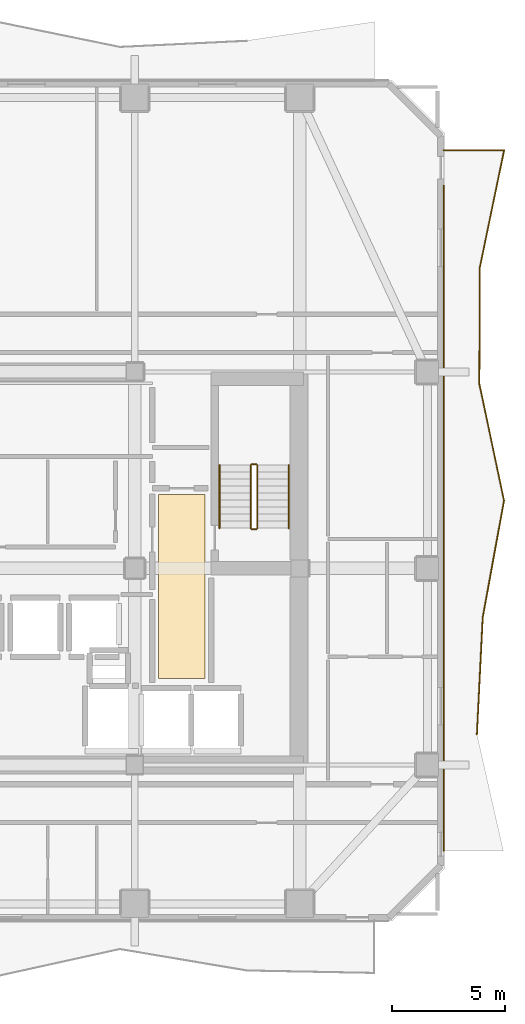
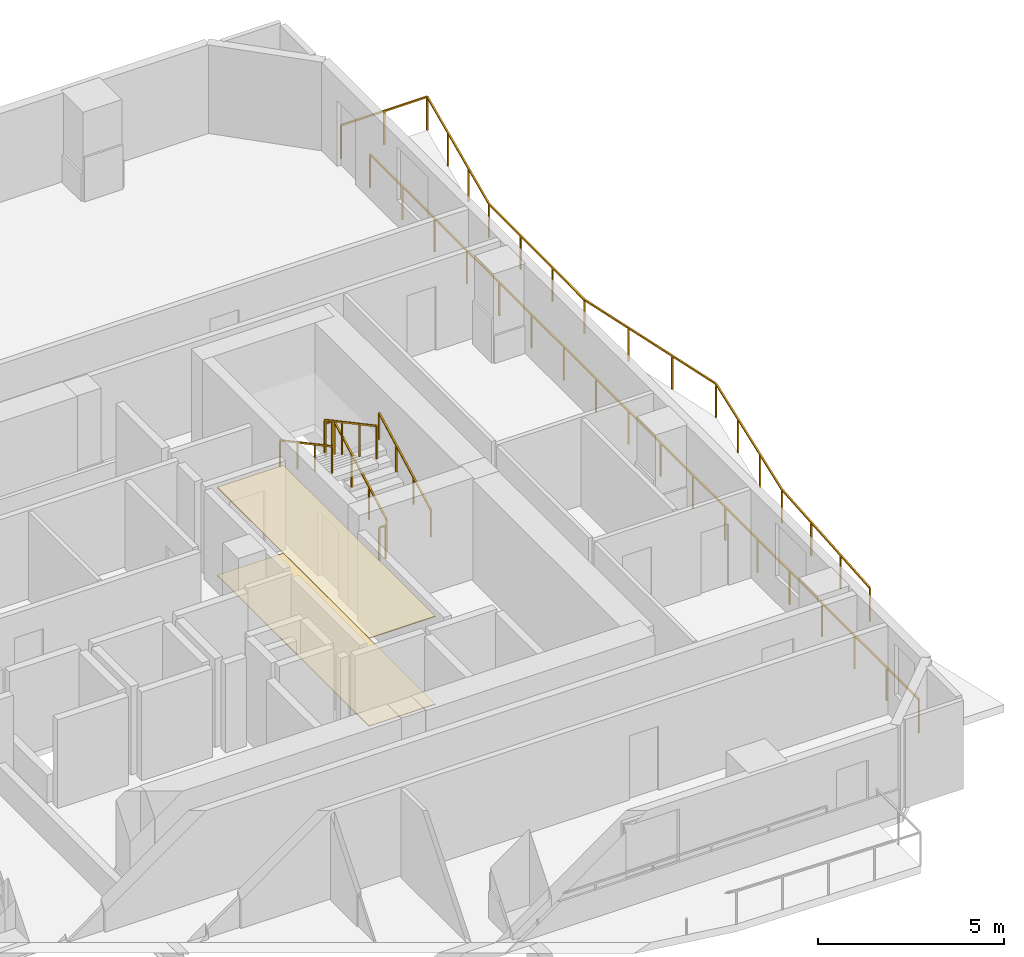
# One storey, part 9 of 10: 8 railings, 2 coverings.
"""IFC4 building model written with IfcOpenShell, lengths in metres."""

from ifc_helpers import new_model, si_unit, direction, frame, origin, origin_2d, place, context, subcontext, project, spatial, polyline, rectangle, outline, extrude, material, layer, layer_set, type_object, element, save


model = new_model("IFC4")

# Units and contexts
model_context = context("Model", 3, precision=1e-05, world=origin(), true_north=direction((0.0, 1.0)))
body_context = subcontext(model_context, "Body", "Model", "MODEL_VIEW")
ifc_project = project(units=[si_unit("LENGTHUNIT", "METRE"), si_unit("AREAUNIT", "SQUARE_METRE"), si_unit("VOLUMEUNIT", "CUBIC_METRE"), si_unit("PLANEANGLEUNIT", "RADIAN"), si_unit("MASSUNIT", "GRAM", prefix="KILO")], contexts=[model_context])

# Site, building, storey
site_placement = place(None, origin())
site = spatial("IfcSite", under=ifc_project, at=site_placement, CompositionType="ELEMENT")
building_placement = place(site_placement, origin())
building = spatial("IfcBuilding", under=site, at=building_placement, Name="Solanera Arch Residences", CompositionType="ELEMENT")
storey_placement = place(building_placement, frame((0.0, 0.0, 186.840087890625)))
storey = spatial("IfcBuildingStorey", under=building, at=storey_placement, Name="L54", CompositionType="ELEMENT", Elevation=186.840087890625)

# Railings
ifc_material_1 = material(Name="Steel S355 (ASTM A992 / A572 Grade 50)", Category="steel")
railing_type_1 = type_object("IfcRailingType", Name="Balustrade Railing BL-1100", PredefinedType="BALUSTRADE", material=ifc_material_1)
railing_1_placement = place(storey_placement, frame((44.344970703125, 23.366943359375, 0.0)))
element("IfcRailing", 1, at=railing_1_placement, inside=storey, type_object=railing_type_1, Name="L54 E Balcony Balustrade 1", PredefinedType="BALUSTRADE", context=body_context, shape_type="SweptSolid", body=[
    extrude(rectangle(XDim=0.048095703125, YDim=0.048095703125, at=origin_2d()), frame((0.0, 0.0, 1.09619140625), z_axis=(0.049890534467, 0.998754691889, 0.0), x_axis=(-0.998754691889, 0.049890534467, 0.0)), (0.0, 0.0, 1.0), 5.17236328125),
    extrude(rectangle(XDim=0.048095703125, YDim=0.048095703125, at=origin_2d()), frame((0.258056640625, 5.166015625, 1.09619140625), z_axis=(0.179335384895, 0.983787995314, 0.0), x_axis=(-0.983787995314, 0.179335384895, 0.0)), (0.0, 0.0, 1.0), 5.252197265625),
    extrude(rectangle(XDim=0.048095703125, YDim=0.048095703125, at=origin_2d()), frame((1.199951171875, 10.3330078125, 1.09619140625), z_axis=(-0.206781592574, 0.978387128376, 0.0), x_axis=(-0.978387128376, -0.206781592574, 0.0)), (0.0, 0.0, 1.0), 5.28125),
    extrude(rectangle(XDim=0.048095703125, YDim=0.048095703125, at=origin_2d()), frame((0.10791015625, 15.5, 1.09619140625), z_axis=(0.004678587735, 0.999989055349, 0.0), x_axis=(-0.999989055349, 0.004678587735, 0.0)), (0.0, 0.0, 1.0), 5.166015625),
    extrude(rectangle(XDim=0.048095703125, YDim=0.048095703125, at=origin_2d()), frame((0.132080078125, 20.666015625, 1.09619140625), z_axis=(0.202971237886, 0.979184699937, 0.0), x_axis=(-0.979184699937, 0.202971237886, 0.0)), (0.0, 0.0, 1.0), 5.27685546875),
    extrude(rectangle(XDim=0.048095703125, YDim=0.048095703125, at=origin_2d()), frame((1.203125, 25.8330078125, 1.09619140625), z_axis=(-1.0, 0.0, 0.0), x_axis=(0.0, -1.0, 0.0)), (0.0, 0.0, 1.0), 2.668212890625),
    extrude(rectangle(XDim=0.0419921875, YDim=0.0419921875, at=origin_2d()), origin(), (0.0, 0.0, 1.0), 1.072021484375),
    extrude(rectangle(XDim=0.0419921875, YDim=0.0419921875, at=origin_2d()), frame((0.0859375, 1.721923828125, 0.0)), (0.0, 0.0, 1.0), 1.072021484375),
    extrude(rectangle(XDim=0.0419921875, YDim=0.0419921875, at=origin_2d()), frame((0.172119140625, 3.444091796875, 0.0)), (0.0, 0.0, 1.0), 1.072021484375),
    extrude(rectangle(XDim=0.0419921875, YDim=0.0419921875, at=origin_2d()), frame((0.258056640625, 5.166015625, 0.0)), (0.0, 0.0, 1.0), 1.072021484375),
    extrude(rectangle(XDim=0.0419921875, YDim=0.0419921875, at=origin_2d()), frame((0.572021484375, 6.888427734375, 0.0)), (0.0, 0.0, 1.0), 1.072021484375),
    extrude(rectangle(XDim=0.0419921875, YDim=0.0419921875, at=origin_2d()), frame((0.885986328125, 8.610595703125, 0.0)), (0.0, 0.0, 1.0), 1.072021484375),
    extrude(rectangle(XDim=0.0419921875, YDim=0.0419921875, at=origin_2d()), frame((1.199951171875, 10.3330078125, 0.0)), (0.0, 0.0, 1.0), 1.072021484375),
    extrude(rectangle(XDim=0.0419921875, YDim=0.0419921875, at=origin_2d()), frame((0.8359375, 12.055419921875, 0.0)), (0.0, 0.0, 1.0), 1.072021484375),
    extrude(rectangle(XDim=0.0419921875, YDim=0.0419921875, at=origin_2d()), frame((0.471923828125, 13.777587890625, 0.0)), (0.0, 0.0, 1.0), 1.072021484375),
    extrude(rectangle(XDim=0.0419921875, YDim=0.0419921875, at=origin_2d()), frame((0.10791015625, 15.5, 0.0)), (0.0, 0.0, 1.0), 1.072021484375),
    extrude(rectangle(XDim=0.0419921875, YDim=0.0419921875, at=origin_2d()), frame((0.115966796875, 17.221923828125, 0.0)), (0.0, 0.0, 1.0), 1.072021484375),
    extrude(rectangle(XDim=0.0419921875, YDim=0.0419921875, at=origin_2d()), frame((0.1240234375, 18.944091796875, 0.0)), (0.0, 0.0, 1.0), 1.072021484375),
    extrude(rectangle(XDim=0.0419921875, YDim=0.0419921875, at=origin_2d()), frame((0.132080078125, 20.666015625, 0.0)), (0.0, 0.0, 1.0), 1.072021484375),
    extrude(rectangle(XDim=0.0419921875, YDim=0.0419921875, at=origin_2d()), frame((0.489013671875, 22.388427734375, 0.0)), (0.0, 0.0, 1.0), 1.072021484375),
    extrude(rectangle(XDim=0.0419921875, YDim=0.0419921875, at=origin_2d()), frame((0.84619140625, 24.110595703125, 0.0)), (0.0, 0.0, 1.0), 1.072021484375),
    extrude(rectangle(XDim=0.0419921875, YDim=0.0419921875, at=origin_2d()), frame((1.203125, 25.8330078125, 0.0)), (0.0, 0.0, 1.0), 1.072021484375),
    extrude(rectangle(XDim=0.0419921875, YDim=0.0419921875, at=origin_2d()), frame((-0.130859375, 25.8330078125, 0.0)), (0.0, 0.0, 1.0), 1.072021484375),
    extrude(rectangle(XDim=0.0419921875, YDim=0.0419921875, at=origin_2d()), frame((-1.465087890625, 25.8330078125, 0.0)), (0.0, 0.0, 1.0), 1.072021484375),
])
railing_2_placement = place(storey_placement, frame((42.8798828125, 47.64111328125, 0.0)))
element("IfcRailing", 2, at=railing_2_placement, inside=storey, type_object=railing_type_1, Name="L54 E Balcony Balustrade 2", PredefinedType="BALUSTRADE", context=body_context, shape_type="SweptSolid", body=[
    extrude(rectangle(XDim=0.048095703125, YDim=0.048095703125, at=origin_2d()), frame((0.0, 0.0, 1.09619140625), z_axis=(0.0, -1.0, 0.0), x_axis=(1.0, 0.0, 0.0)), (0.0, 0.0, 1.0), 29.441162109375),
    extrude(rectangle(XDim=0.0419921875, YDim=0.0419921875, at=origin_2d()), origin(), (0.0, 0.0, 1.0), 1.072021484375),
    extrude(rectangle(XDim=0.0419921875, YDim=0.0419921875, at=origin_2d()), frame((0.0, -1.73193359375, 0.0)), (0.0, 0.0, 1.0), 1.072021484375),
    extrude(rectangle(XDim=0.0419921875, YDim=0.0419921875, at=origin_2d()), frame((0.0, -3.463623046875, 0.0)), (0.0, 0.0, 1.0), 1.072021484375),
    extrude(rectangle(XDim=0.0419921875, YDim=0.0419921875, at=origin_2d()), frame((0.0, -5.195556640625, 0.0)), (0.0, 0.0, 1.0), 1.072021484375),
    extrude(rectangle(XDim=0.0419921875, YDim=0.0419921875, at=origin_2d()), frame((0.0, -6.92724609375, 0.0)), (0.0, 0.0, 1.0), 1.072021484375),
    extrude(rectangle(XDim=0.0419921875, YDim=0.0419921875, at=origin_2d()), frame((0.0, -8.6591796875, 0.0)), (0.0, 0.0, 1.0), 1.072021484375),
    extrude(rectangle(XDim=0.0419921875, YDim=0.0419921875, at=origin_2d()), frame((0.0, -10.39111328125, 0.0)), (0.0, 0.0, 1.0), 1.072021484375),
    extrude(rectangle(XDim=0.0419921875, YDim=0.0419921875, at=origin_2d()), frame((0.0, -12.122802734375, 0.0)), (0.0, 0.0, 1.0), 1.072021484375),
    extrude(rectangle(XDim=0.0419921875, YDim=0.0419921875, at=origin_2d()), frame((0.0, -13.854736328125, 0.0)), (0.0, 0.0, 1.0), 1.072021484375),
    extrude(rectangle(XDim=0.0419921875, YDim=0.0419921875, at=origin_2d()), frame((0.0, -15.58642578125, 0.0)), (0.0, 0.0, 1.0), 1.072021484375),
    extrude(rectangle(XDim=0.0419921875, YDim=0.0419921875, at=origin_2d()), frame((0.0, -17.318359375, 0.0)), (0.0, 0.0, 1.0), 1.072021484375),
    extrude(rectangle(XDim=0.0419921875, YDim=0.0419921875, at=origin_2d()), frame((0.0, -19.050048828125, 0.0)), (0.0, 0.0, 1.0), 1.072021484375),
    extrude(rectangle(XDim=0.0419921875, YDim=0.0419921875, at=origin_2d()), frame((0.0, -20.781982421875, 0.0)), (0.0, 0.0, 1.0), 1.072021484375),
    extrude(rectangle(XDim=0.0419921875, YDim=0.0419921875, at=origin_2d()), frame((0.0, -22.513916015625, 0.0)), (0.0, 0.0, 1.0), 1.072021484375),
    extrude(rectangle(XDim=0.0419921875, YDim=0.0419921875, at=origin_2d()), frame((0.0, -24.24560546875, 0.0)), (0.0, 0.0, 1.0), 1.072021484375),
    extrude(rectangle(XDim=0.0419921875, YDim=0.0419921875, at=origin_2d()), frame((0.0, -25.9775390625, 0.0)), (0.0, 0.0, 1.0), 1.072021484375),
    extrude(rectangle(XDim=0.0419921875, YDim=0.0419921875, at=origin_2d()), frame((0.0, -27.709228515625, 0.0)), (0.0, 0.0, 1.0), 1.072021484375),
    extrude(rectangle(XDim=0.0419921875, YDim=0.0419921875, at=origin_2d()), frame((0.0, -29.441162109375, 0.0)), (0.0, 0.0, 1.0), 1.072021484375),
])

# Covering
ifc_material_2 = material(Name="Porcelain Acoustic Floor Tile", Category="ceramic")
ifc_layer_1 = layer(ifc_material_2, 0.02001953125)
ifc_layer_set_1 = layer_set([ifc_layer_1], Name="Porcelain Acoustic Floor Tile")
covering_type_1 = type_object("IfcCoveringType", Name="Porcelain Acoustic Floor Finish FLR-20", PredefinedType="FLOORING", material=ifc_layer_set_1)
covering_1_placement = place(storey_placement, origin())
element("IfcCovering", 3, at=covering_1_placement, inside=storey, type_object=covering_type_1, Name="L54-FFL-E Porcelain Floor Finish", PredefinedType="FLOORING", context=body_context, shape_type="SweptSolid", body=[
    extrude(outline(polyline([(32.304931640625, 25.824951171875), (30.25, 25.824951171875), (30.25, 33.97509765625), (32.304931640625, 33.97509765625), (32.304931640625, 25.824951171875)])), origin(), (0.0, 0.0, 1.0), 0.02001953125),
])

# Railings
ifc_material_3 = material(Name="Steel S355 (ASTM A992 / A572 Grade 50)", Category="steel")
railing_type_2 = type_object("IfcRailingType", Name="Stair Guardrail GR-1100", PredefinedType="GUARDRAIL", material=ifc_material_3)
railing_3_placement = place(storey_placement, frame((34.6298828125, 32.47998046875, 0.15087890625)))
element("IfcRailing", 4, at=railing_3_placement, inside=storey, type_object=railing_type_2, Name="L54 ST-T2 stair guard 1", PredefinedType="GUARDRAIL", context=body_context, shape_type="SweptSolid", body=[
    extrude(rectangle(XDim=0.048095703125, YDim=0.048095703125, at=origin_2d()), frame((0.0, 0.0, 1.076171875), z_axis=(0.0, 0.881548766853, 0.472092969298), x_axis=(-1.0, 0.0, 0.0)), (0.0, 0.0, 1.0), 3.1650390625),
    extrude(rectangle(XDim=0.0419921875, YDim=0.0419921875, at=origin_2d()), origin(), (0.0, 0.0, 1.0), 1.052001953125),
    extrude(rectangle(XDim=0.0419921875, YDim=0.0419921875, at=origin_2d()), frame((0.0, 0.929931640625, 0.498046875)), (0.0, 0.0, 1.0), 1.052001953125),
    extrude(rectangle(XDim=0.0419921875, YDim=0.0419921875, at=origin_2d()), frame((0.0, 1.860107421875, 0.99609375)), (0.0, 0.0, 1.0), 1.052001953125),
    extrude(rectangle(XDim=0.0419921875, YDim=0.0419921875, at=origin_2d()), frame((0.0, 2.7900390625, 1.494140625)), (0.0, 0.0, 1.0), 1.052001953125),
])
railing_4_placement = place(storey_placement, frame((34.580078125, 35.320068359375, 1.64501953125)))
element("IfcRailing", 5, at=railing_4_placement, inside=storey, type_object=railing_type_2, Name="L54 ST-T2 stair guard 2", PredefinedType="GUARDRAIL", context=body_context, shape_type="SweptSolid", body=[
    extrude(rectangle(XDim=0.048095703125, YDim=0.048095703125, at=origin_2d()), frame((0.0, 0.0, 1.076171875), z_axis=(-1.0, 0.0, 0.0), x_axis=(0.0, -1.0, 0.0)), (0.0, 0.0, 1.0), 0.2001953125),
    extrude(rectangle(XDim=0.0419921875, YDim=0.0419921875, at=origin_2d()), origin(), (0.0, 0.0, 1.0), 1.052001953125),
    extrude(rectangle(XDim=0.0419921875, YDim=0.0419921875, at=origin_2d()), frame((-0.2001953125, 0.0, 0.0)), (0.0, 0.0, 1.0), 1.052001953125),
])
railing_5_placement = place(storey_placement, frame((34.330078125, 35.27001953125, 1.810791015625)))
element("IfcRailing", 6, at=railing_5_placement, inside=storey, type_object=railing_type_2, Name="L54 ST-T2 stair guard 3", PredefinedType="GUARDRAIL", context=body_context, shape_type="SweptSolid", body=[
    extrude(rectangle(XDim=0.048095703125, YDim=0.048095703125, at=origin_2d()), frame((0.0, 0.0, 1.076171875), z_axis=(0.0, -0.881548766853, 0.472092969298), x_axis=(1.0, 0.0, 0.0)), (0.0, 0.0, 1.0), 3.1650390625),
    extrude(rectangle(XDim=0.0419921875, YDim=0.0419921875, at=origin_2d()), origin(), (0.0, 0.0, 1.0), 1.052001953125),
    extrude(rectangle(XDim=0.0419921875, YDim=0.0419921875, at=origin_2d()), frame((0.0, -0.929931640625, 0.498046875)), (0.0, 0.0, 1.0), 1.052001953125),
    extrude(rectangle(XDim=0.0419921875, YDim=0.0419921875, at=origin_2d()), frame((0.0, -1.860107421875, 0.99609375)), (0.0, 0.0, 1.0), 1.052001953125),
    extrude(rectangle(XDim=0.0419921875, YDim=0.0419921875, at=origin_2d()), frame((0.0, -2.7900390625, 1.494140625)), (0.0, 0.0, 1.0), 1.052001953125),
])
railing_6_placement = place(storey_placement, frame((34.580078125, 32.429931640625, -0.01513671875)))
element("IfcRailing", 7, at=railing_6_placement, inside=storey, type_object=railing_type_2, Name="L54 ST-T2 stair guard 4", PredefinedType="GUARDRAIL", context=body_context, shape_type="SweptSolid", body=[
    extrude(rectangle(XDim=0.048095703125, YDim=0.048095703125, at=origin_2d()), frame((0.0, 0.0, 1.076171875), z_axis=(-1.0, 0.0, 0.0), x_axis=(0.0, -1.0, 0.0)), (0.0, 0.0, 1.0), 0.2001953125),
    extrude(rectangle(XDim=0.0419921875, YDim=0.0419921875, at=origin_2d()), origin(), (0.0, 0.0, 1.0), 1.052001953125),
    extrude(rectangle(XDim=0.0419921875, YDim=0.0419921875, at=origin_2d()), frame((-0.2001953125, 0.0, 0.0)), (0.0, 0.0, 1.0), 1.052001953125),
])
ifc_material_4 = material(Name="Steel S355 (ASTM A992 / A572 Grade 50)", Category="steel")
railing_type_3 = type_object("IfcRailingType", Name="Stair Wall Handrail HR-920", PredefinedType="HANDRAIL", material=ifc_material_4)
railing_7_placement = place(storey_placement, frame((36.010009765625, 32.47998046875, 0.166015625)))
element("IfcRailing", 8, at=railing_7_placement, inside=storey, type_object=railing_type_3, Name="L54 ST-T2 stair handrail 1", PredefinedType="HANDRAIL", context=body_context, shape_type="SweptSolid", body=[
    extrude(rectangle(XDim=0.048095703125, YDim=0.048095703125, at=origin_2d()), frame((0.0, 0.0, 0.8759765625), z_axis=(0.0, 0.881580869306, 0.472033018838), x_axis=(-1.0, 0.0, 0.0)), (0.0, 0.0, 1.0), 3.164794921875),
    extrude(rectangle(XDim=0.0419921875, YDim=0.0419921875, at=origin_2d()), origin(), (0.0, 0.0, 1.0), 0.851806640625),
    extrude(rectangle(XDim=0.0419921875, YDim=0.0419921875, at=origin_2d()), frame((0.0, 0.929931640625, 0.498046875)), (0.0, 0.0, 1.0), 0.851806640625),
    extrude(rectangle(XDim=0.0419921875, YDim=0.0419921875, at=origin_2d()), frame((0.0, 1.860107421875, 0.995849609375)), (0.0, 0.0, 1.0), 0.851806640625),
    extrude(rectangle(XDim=0.0419921875, YDim=0.0419921875, at=origin_2d()), frame((0.0, 2.7900390625, 1.493896484375)), (0.0, 0.0, 1.0), 0.851806640625),
])
railing_8_placement = place(storey_placement, frame((32.949951171875, 35.27001953125, 1.825927734375)))
element("IfcRailing", 9, at=railing_8_placement, inside=storey, type_object=railing_type_3, Name="L54 ST-T2 stair handrail 2", PredefinedType="HANDRAIL", context=body_context, shape_type="SweptSolid", body=[
    extrude(rectangle(XDim=0.048095703125, YDim=0.048095703125, at=origin_2d()), frame((0.0, 0.0, 0.8759765625), z_axis=(0.0, -0.881580869306, 0.472033018838), x_axis=(1.0, 0.0, 0.0)), (0.0, 0.0, 1.0), 3.164794921875),
    extrude(rectangle(XDim=0.0419921875, YDim=0.0419921875, at=origin_2d()), origin(), (0.0, 0.0, 1.0), 0.851806640625),
    extrude(rectangle(XDim=0.0419921875, YDim=0.0419921875, at=origin_2d()), frame((0.0, -0.929931640625, 0.498046875)), (0.0, 0.0, 1.0), 0.851806640625),
    extrude(rectangle(XDim=0.0419921875, YDim=0.0419921875, at=origin_2d()), frame((0.0, -1.860107421875, 0.995849609375)), (0.0, 0.0, 1.0), 0.851806640625),
    extrude(rectangle(XDim=0.0419921875, YDim=0.0419921875, at=origin_2d()), frame((0.0, -2.7900390625, 1.493896484375)), (0.0, 0.0, 1.0), 0.851806640625),
])

# Covering
ifc_material_5 = material(Name="Mineral Fibre Acoustic Ceiling Board", Category="gypsum")
ifc_layer_2 = layer(ifc_material_5, 0.02490234375)
ifc_layer_set_2 = layer_set([ifc_layer_2], Name="Mineral Fibre Acoustic Ceiling Board")
covering_type_2 = type_object("IfcCoveringType", Name="Suspended Acoustic Ceiling Board CLG-25", PredefinedType="CEILING", material=ifc_layer_set_2)
covering_2_placement = place(storey_placement, frame((0.0, 0.0, 2.875)))
element("IfcCovering", 10, at=covering_2_placement, inside=storey, type_object=covering_type_2, Name="L54-FFL-E Acoustic Ceiling", PredefinedType="CEILING", context=body_context, shape_type="SweptSolid", body=[
    extrude(outline(polyline([(32.304931640625, 25.824951171875), (30.25, 25.824951171875), (30.25, 33.97509765625), (32.304931640625, 33.97509765625), (32.304931640625, 25.824951171875)])), origin(), (0.0, 0.0, 1.0), 0.02490234375),
])

save(model, "model.ifc")
